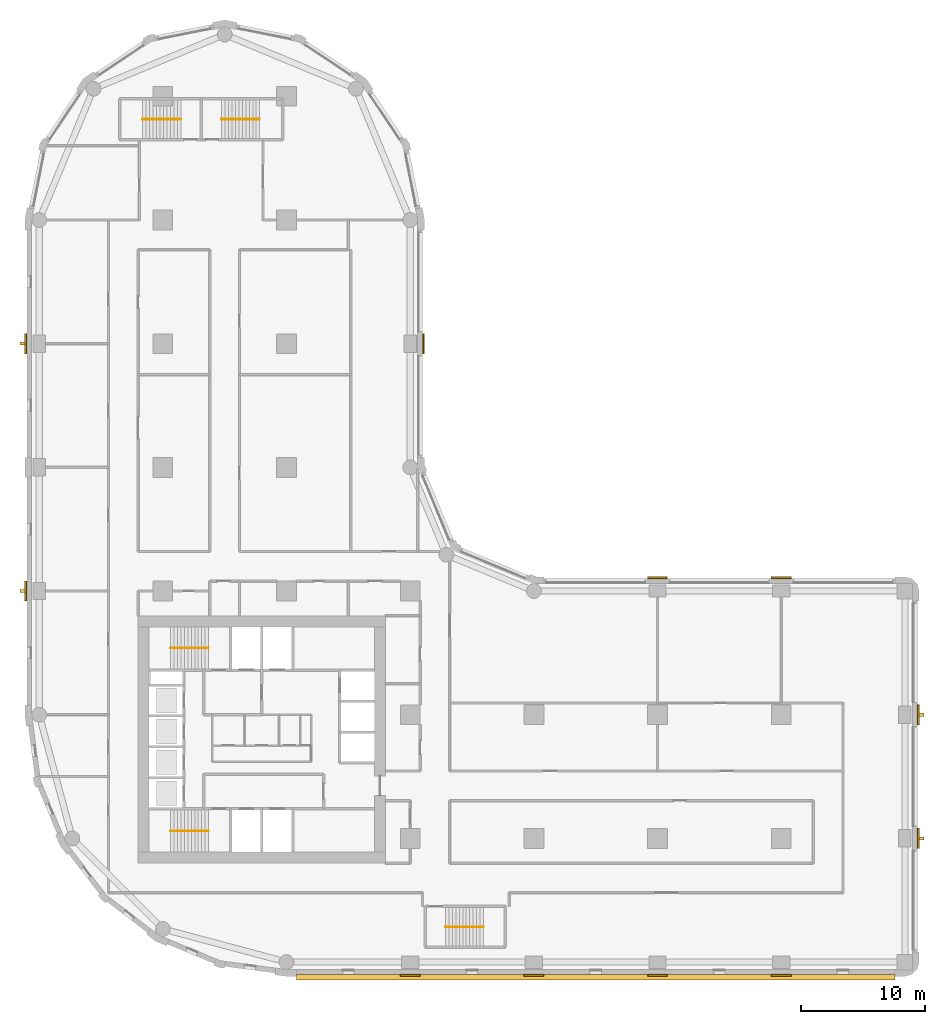
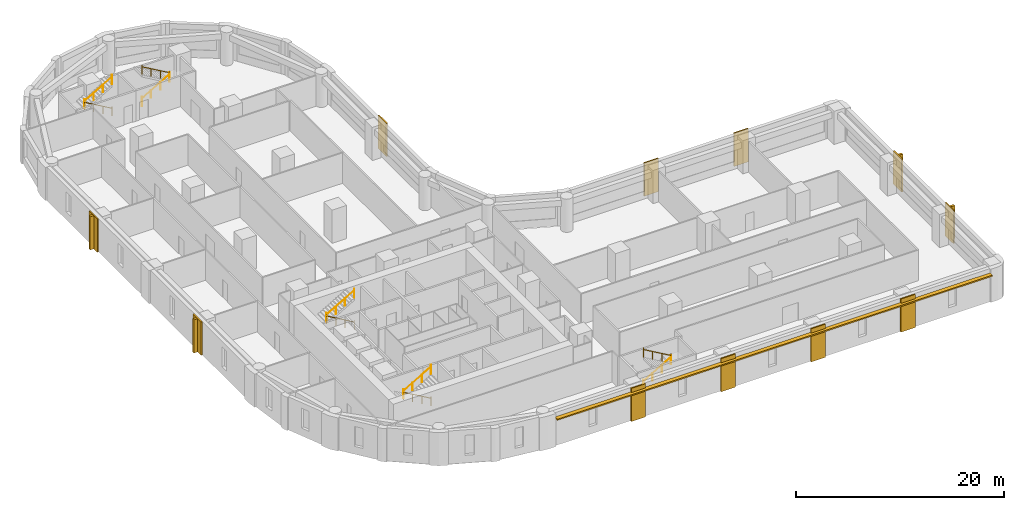
# One storey, part 9 of 10: 11 coverings, 10 railings, 5 shading devices.
"""IFC4 building model written with IfcOpenShell, lengths in metres."""

from ifc_helpers import new_model, si_unit, direction, frame, origin, origin_2d, place, context, subcontext, project, spatial, polyline, rectangle, circle, outline, extrude, material, layer, layer_set, type_object, element, save


model = new_model("IFC4")

# Units and contexts
model_context = context("Model", 3, precision=1e-05, world=origin(), true_north=direction((0.0, 1.0)))
body_context = subcontext(model_context, "Body", "Model", "MODEL_VIEW")
ifc_project = project(units=[si_unit("LENGTHUNIT", "METRE"), si_unit("AREAUNIT", "SQUARE_METRE"), si_unit("VOLUMEUNIT", "CUBIC_METRE"), si_unit("PLANEANGLEUNIT", "RADIAN"), si_unit("MASSUNIT", "GRAM", prefix="KILO")], contexts=[model_context])

# Site, building, storey
site_placement = place(None, origin())
site = spatial("IfcSite", under=ifc_project, at=site_placement, CompositionType="ELEMENT")
building_placement = place(site_placement, origin())
building = spatial("IfcBuilding", under=site, at=building_placement, Name="Qaws Garden Tower", CompositionType="ELEMENT")
storey_placement = place(building_placement, frame((0.0, 0.0, 15.89990234375)))
storey = spatial("IfcBuildingStorey", under=building, at=storey_placement, Name="L03", CompositionType="ELEMENT", Elevation=15.89990234375)

# Coverings
ifc_material_1 = material(Name="Clay facing brick masonry", Category="masonry")
ifc_layer_1 = layer(ifc_material_1, 0.14990234375)
ifc_layer_set_1 = layer_set([ifc_layer_1], Name="Clay facing brick masonry")
covering_type = type_object("IfcCoveringType", Name="Brick pilaster facing 150 x 1600", PredefinedType="CLADDING", material=ifc_layer_set_1)
placement = place(storey_placement, origin())
element("IfcCovering", 1, at=placement, inside=storey, type_object=covering_type, Name="E-L03-pier-01", PredefinedType="CLADDING", context=body_context, shape_type="SweptSolid", body=[
    extrude(outline(polyline([(29.199951171875, -1.0), (30.800048828125, -1.0), (30.800048828125, -1.14990234375), (29.199951171875, -1.14990234375), (29.199951171875, -1.0)])), origin(), (0.0, 0.0, 1.0), 3.900146484375),
])
element("IfcCovering", 2, at=placement, inside=storey, type_object=covering_type, Name="E-L03-pier-02", PredefinedType="CLADDING", context=body_context, shape_type="SweptSolid", body=[
    extrude(outline(polyline([(39.199951171875, -1.0), (40.800048828125, -1.0), (40.800048828125, -1.14990234375), (39.199951171875, -1.14990234375), (39.199951171875, -1.0)])), origin(), (0.0, 0.0, 1.0), 3.900146484375),
])
element("IfcCovering", 3, at=placement, inside=storey, type_object=covering_type, Name="E-L03-pier-03", PredefinedType="CLADDING", context=body_context, shape_type="SweptSolid", body=[
    extrude(outline(polyline([(49.199951171875, -1.0), (50.800048828125, -1.0), (50.800048828125, -1.14990234375), (49.199951171875, -1.14990234375), (49.199951171875, -1.0)])), origin(), (0.0, 0.0, 1.0), 3.900146484375),
])
element("IfcCovering", 4, at=placement, inside=storey, type_object=covering_type, Name="E-L03-pier-04", PredefinedType="CLADDING", context=body_context, shape_type="SweptSolid", body=[
    extrude(outline(polyline([(59.199951171875, -1.0), (60.800048828125, -1.0), (60.800048828125, -1.14990234375), (59.199951171875, -1.14990234375), (59.199951171875, -1.0)])), origin(), (0.0, 0.0, 1.0), 3.900146484375),
])
element("IfcCovering", 5, at=placement, inside=storey, type_object=covering_type, Name="E-L03-pier-06", PredefinedType="CLADDING", context=body_context, shape_type="SweptSolid", body=[
    extrude(outline(polyline([(71.0, 9.199951171875), (71.0, 10.800048828125), (71.14990234375, 10.800048828125), (71.14990234375, 9.199951171875), (71.0, 9.199951171875)])), origin(), (0.0, 0.0, 1.0), 3.900146484375),
])
element("IfcCovering", 6, at=placement, inside=storey, type_object=covering_type, Name="E-L03-pier-07", PredefinedType="CLADDING", context=body_context, shape_type="SweptSolid", body=[
    extrude(outline(polyline([(71.0, 19.199951171875), (71.0, 20.800048828125), (71.14990234375, 20.800048828125), (71.14990234375, 19.199951171875), (71.0, 19.199951171875)])), origin(), (0.0, 0.0, 1.0), 3.900146484375),
])
element("IfcCovering", 7, at=placement, inside=storey, type_object=covering_type, Name="E-L03-pier-09", PredefinedType="CLADDING", context=body_context, shape_type="SweptSolid", body=[
    extrude(outline(polyline([(60.800048828125, 31.0), (59.199951171875, 31.0), (59.199951171875, 31.14990234375), (60.800048828125, 31.14990234375), (60.800048828125, 31.0)])), origin(), (0.0, 0.0, 1.0), 3.900146484375),
])
element("IfcCovering", 8, at=placement, inside=storey, type_object=covering_type, Name="E-L03-pier-10", PredefinedType="CLADDING", context=body_context, shape_type="SweptSolid", body=[
    extrude(outline(polyline([(50.800048828125, 31.0), (49.199951171875, 31.0), (49.199951171875, 31.14990234375), (50.800048828125, 31.14990234375), (50.800048828125, 31.0)])), origin(), (0.0, 0.0, 1.0), 3.900146484375),
])
element("IfcCovering", 9, at=placement, inside=storey, type_object=covering_type, Name="E-L03-pier-14", PredefinedType="CLADDING", context=body_context, shape_type="SweptSolid", body=[
    extrude(outline(polyline([(31.0, 49.199951171875), (31.0, 50.800048828125), (31.14990234375, 50.800048828125), (31.14990234375, 49.199951171875), (31.0, 49.199951171875)])), origin(), (0.0, 0.0, 1.0), 3.900146484375),
])
element("IfcCovering", 10, at=placement, inside=storey, type_object=covering_type, Name="E-L03-pier-24", PredefinedType="CLADDING", context=body_context, shape_type="SweptSolid", body=[
    extrude(outline(polyline([(-1.0, 50.800048828125), (-1.0, 49.199951171875), (-1.14990234375, 49.199951171875), (-1.14990234375, 50.800048828125), (-1.0, 50.800048828125)])), origin(), (0.0, 0.0, 1.0), 3.900146484375),
])
element("IfcCovering", 11, at=placement, inside=storey, type_object=covering_type, Name="E-L03-pier-26", PredefinedType="CLADDING", context=body_context, shape_type="SweptSolid", body=[
    extrude(outline(polyline([(-1.0, 30.800048828125), (-1.0, 29.199951171875), (-1.14990234375, 29.199951171875), (-1.14990234375, 30.800048828125), (-1.0, 30.800048828125)])), origin(), (0.0, 0.0, 1.0), 3.900146484375),
])

# Shading devices
ifc_material_2 = material(Name="Clay facing brick masonry", Category="masonry")
ifc_layer_2 = layer(ifc_material_2, 0.14990234375)
ifc_layer_set_2 = layer_set([ifc_layer_2], Name="Clay facing brick masonry")
shading_device_type_1 = type_object("IfcShadingDeviceType", Name="Brick sunshade band 450 x 150", PredefinedType="JALOUSIE", material=ifc_layer_set_2)
shading_device_placement = place(storey_placement, frame((0.0, 0.0, 3.25)))
element("IfcShadingDevice", 12, at=shading_device_placement, inside=storey, type_object=shading_device_type_1, Name="SUNSHADE 00", PredefinedType="JALOUSIE", context=body_context, shape_type="SweptSolid", body=[
    extrude(outline(polyline([(20.800048828125, -1.0), (20.800048828125, -1.449951171875), (69.199951171875, -1.449951171875), (69.199951171875, -1.0), (60.800048828125, -1.0), (60.800048828125, -1.14990234375), (59.199951171875, -1.14990234375), (59.199951171875, -1.0), (50.800048828125, -1.0), (50.800048828125, -1.14990234375), (49.199951171875, -1.14990234375), (49.199951171875, -1.0), (40.800048828125, -1.0), (40.800048828125, -1.14990234375), (39.199951171875, -1.14990234375), (39.199951171875, -1.0), (30.800048828125, -1.0), (30.800048828125, -1.14990234375), (29.199951171875, -1.14990234375), (29.199951171875, -1.0), (20.800048828125, -1.0)])), origin(), (0.0, 0.0, 1.0), 0.150146484375),
])
ifc_material_3 = material(Name="Clay facing brick masonry", Category="masonry")
ifc_layer_3 = layer(ifc_material_3, 0.25)
ifc_layer_set_3 = layer_set([ifc_layer_3], Name="Clay facing brick masonry")
shading_device_type_2 = type_object("IfcShadingDeviceType", Name="Brick-faced fin 250 x 400", PredefinedType="USERDEFINED", material=ifc_layer_set_3)
for number, where, z_axis, x_axis, name in (
    (13, (71.35009765625, 10.0, 0.000244140625), (0.0, 0.0, 1.0), (0.0, 1.0, 0.0), "FIN 06"),
    (14, (71.35009765625, 20.0, 0.000244140625), (0.0, 0.0, 1.0), (0.0, 1.0, 0.0), "FIN 07"),
    (15, (-1.35009765625, 50.0, 0.000244140625), (0.0, 0.0, 1.0), (0.0, -1.0, 0.0), "FIN 24"),
    (16, (-1.35009765625, 30.0, 0.000244140625), (0.0, 0.0, 1.0), (0.0, -1.0, 0.0), "FIN 26"),
):
    element("IfcShadingDevice", number, at=place(storey_placement, frame(where, z_axis=z_axis, x_axis=x_axis)), inside=storey, type_object=shading_device_type_2, Name=name, ObjectType="FIN", PredefinedType="USERDEFINED", context=body_context, shape_type="SweptSolid", body=[
        extrude(rectangle(XDim=0.25, YDim=0.39990234375, at=origin_2d()), origin(), (0.0, 0.0, 1.0), 3.89990234375),
    ])

# Railings
ifc_material_4 = material(Name="Steel S355", Category="steel")
railing_type = type_object("IfcRailingType", Name="Stair handrail 900", PredefinedType="HANDRAIL", material=ifc_material_4)
railing_1_placement = place(storey_placement, frame((13.699951171875, 10.60009765625, 0.16259765625)))
element("IfcRailing", 17, at=railing_1_placement, inside=storey, type_object=railing_type, Name="Stair 1 handrail", PredefinedType="HANDRAIL", context=body_context, shape_type="SweptSolid", body=[
    extrude(circle(Radius=0.02392578125, at=origin_2d()), frame((0.0, 0.0, 0.8759765625), z_axis=(-0.864873446163, 0.0, 0.501989962173), x_axis=(0.0, -1.0, 0.0)), (0.0, 0.0, 1.0), 3.56103515625),
    extrude(circle(Radius=0.02099609375, at=origin_2d()), origin(), (0.0, 0.0, 1.0), 1.06201171875),
    extrude(circle(Radius=0.02099609375, at=origin_2d()), frame((-1.026611328125, 0.0, 0.595947265625)), (0.0, 0.0, 1.0), 0.851806640625),
    extrude(circle(Radius=0.02099609375, at=origin_2d()), frame((-2.05322265625, 0.0, 1.191650390625)), (0.0, 0.0, 1.0), 0.851806640625),
    extrude(circle(Radius=0.02099609375, at=origin_2d()), frame((-3.079833984375, 0.0, 1.78759765625)), (0.0, 0.0, 1.0), 1.06201171875),
])
railing_2_placement = place(storey_placement, frame((10.6201171875, 10.60009765625, 2.112548828125)))
element("IfcRailing", 18, at=railing_2_placement, inside=storey, type_object=railing_type, Name="Stair 1 handrail", PredefinedType="HANDRAIL", context=body_context, shape_type="SweptSolid", body=[
    extrude(circle(Radius=0.02392578125, at=origin_2d()), frame((0.0, 0.0, 0.8759765625), z_axis=(0.864873446163, 0.0, 0.501989962173), x_axis=(0.0, 1.0, 0.0)), (0.0, 0.0, 1.0), 3.56103515625),
    extrude(circle(Radius=0.02099609375, at=origin_2d()), origin(), (0.0, 0.0, 1.0), 1.06201171875),
    extrude(circle(Radius=0.02099609375, at=origin_2d()), frame((1.026611328125, 0.0, 0.595947265625)), (0.0, 0.0, 1.0), 0.851806640625),
    extrude(circle(Radius=0.02099609375, at=origin_2d()), frame((2.05322265625, 0.0, 1.191650390625)), (0.0, 0.0, 1.0), 0.851806640625),
    extrude(circle(Radius=0.02099609375, at=origin_2d()), frame((3.079833984375, 0.0, 1.78759765625)), (0.0, 0.0, 1.0), 1.06201171875),
])
railing_3_placement = place(storey_placement, frame((13.699951171875, 25.39990234375, 0.16259765625)))
element("IfcRailing", 19, at=railing_3_placement, inside=storey, type_object=railing_type, Name="Stair 4 handrail", PredefinedType="HANDRAIL", context=body_context, shape_type="SweptSolid", body=[
    extrude(circle(Radius=0.02392578125, at=origin_2d()), frame((0.0, 0.0, 0.8759765625), z_axis=(-0.864873446163, 0.0, 0.501989962173), x_axis=(0.0, -1.0, 0.0)), (0.0, 0.0, 1.0), 3.56103515625),
    extrude(circle(Radius=0.02099609375, at=origin_2d()), origin(), (0.0, 0.0, 1.0), 1.06201171875),
    extrude(circle(Radius=0.02099609375, at=origin_2d()), frame((-1.026611328125, 0.0, 0.595947265625)), (0.0, 0.0, 1.0), 0.851806640625),
    extrude(circle(Radius=0.02099609375, at=origin_2d()), frame((-2.05322265625, 0.0, 1.191650390625)), (0.0, 0.0, 1.0), 0.851806640625),
    extrude(circle(Radius=0.02099609375, at=origin_2d()), frame((-3.079833984375, 0.0, 1.78759765625)), (0.0, 0.0, 1.0), 1.06201171875),
])
for number, where, name in (
    (20, (10.6201171875, 25.39990234375, 2.112548828125), "Stair 4 handrail"),
    (21, (32.85009765625, 2.85009765625, 0.16259765625), "Stair 5 handrail"),
):
    element("IfcRailing", number, at=place(storey_placement, frame(where)), inside=storey, type_object=railing_type, Name=name, PredefinedType="HANDRAIL", context=body_context, shape_type="SweptSolid", body=[
        extrude(circle(Radius=0.02392578125, at=origin_2d()), frame((0.0, 0.0, 0.8759765625), z_axis=(0.864873446163, 0.0, 0.501989962173), x_axis=(0.0, 1.0, 0.0)), (0.0, 0.0, 1.0), 3.56103515625),
        extrude(circle(Radius=0.02099609375, at=origin_2d()), origin(), (0.0, 0.0, 1.0), 1.06201171875),
        extrude(circle(Radius=0.02099609375, at=origin_2d()), frame((1.026611328125, 0.0, 0.595947265625)), (0.0, 0.0, 1.0), 0.851806640625),
        extrude(circle(Radius=0.02099609375, at=origin_2d()), frame((2.05322265625, 0.0, 1.191650390625)), (0.0, 0.0, 1.0), 0.851806640625),
        extrude(circle(Radius=0.02099609375, at=origin_2d()), frame((3.079833984375, 0.0, 1.78759765625)), (0.0, 0.0, 1.0), 1.06201171875),
    ])
for number, where, name in (
    (22, (35.929931640625, 2.85009765625, 2.112548828125), "Stair 5 handrail"),
    (23, (11.449951171875, 68.14990234375, 0.16259765625), "Stair 6 handrail"),
):
    element("IfcRailing", number, at=place(storey_placement, frame(where)), inside=storey, type_object=railing_type, Name=name, PredefinedType="HANDRAIL", context=body_context, shape_type="SweptSolid", body=[
        extrude(circle(Radius=0.02392578125, at=origin_2d()), frame((0.0, 0.0, 0.8759765625), z_axis=(-0.864873446163, 0.0, 0.501989962173), x_axis=(0.0, -1.0, 0.0)), (0.0, 0.0, 1.0), 3.56103515625),
        extrude(circle(Radius=0.02099609375, at=origin_2d()), origin(), (0.0, 0.0, 1.0), 1.06201171875),
        extrude(circle(Radius=0.02099609375, at=origin_2d()), frame((-1.026611328125, 0.0, 0.595947265625)), (0.0, 0.0, 1.0), 0.851806640625),
        extrude(circle(Radius=0.02099609375, at=origin_2d()), frame((-2.05322265625, 0.0, 1.191650390625)), (0.0, 0.0, 1.0), 0.851806640625),
        extrude(circle(Radius=0.02099609375, at=origin_2d()), frame((-3.079833984375, 0.0, 1.78759765625)), (0.0, 0.0, 1.0), 1.06201171875),
    ])
railing_4_placement = place(storey_placement, frame((8.3701171875, 68.14990234375, 2.112548828125)))
element("IfcRailing", 24, at=railing_4_placement, inside=storey, type_object=railing_type, Name="Stair 6 handrail", PredefinedType="HANDRAIL", context=body_context, shape_type="SweptSolid", body=[
    extrude(circle(Radius=0.02392578125, at=origin_2d()), frame((0.0, 0.0, 0.8759765625), z_axis=(0.864873446163, 0.0, 0.501989962173), x_axis=(0.0, 1.0, 0.0)), (0.0, 0.0, 1.0), 3.56103515625),
    extrude(circle(Radius=0.02099609375, at=origin_2d()), origin(), (0.0, 0.0, 1.0), 1.06201171875),
    extrude(circle(Radius=0.02099609375, at=origin_2d()), frame((1.026611328125, 0.0, 0.595947265625)), (0.0, 0.0, 1.0), 0.851806640625),
    extrude(circle(Radius=0.02099609375, at=origin_2d()), frame((2.05322265625, 0.0, 1.191650390625)), (0.0, 0.0, 1.0), 0.851806640625),
    extrude(circle(Radius=0.02099609375, at=origin_2d()), frame((3.079833984375, 0.0, 1.78759765625)), (0.0, 0.0, 1.0), 1.06201171875),
])
railing_5_placement = place(storey_placement, frame((14.75, 68.14990234375, 0.16259765625)))
element("IfcRailing", 25, at=railing_5_placement, inside=storey, type_object=railing_type, Name="Stair 7 handrail", PredefinedType="HANDRAIL", context=body_context, shape_type="SweptSolid", body=[
    extrude(circle(Radius=0.02392578125, at=origin_2d()), frame((0.0, 0.0, 0.8759765625), z_axis=(0.864890721111, 0.0, 0.501960198159), x_axis=(0.0, 1.0, 0.0)), (0.0, 0.0, 1.0), 3.561279296875),
    extrude(circle(Radius=0.02099609375, at=origin_2d()), origin(), (0.0, 0.0, 1.0), 1.06201171875),
    extrude(circle(Radius=0.02099609375, at=origin_2d()), frame((1.026611328125, 0.0, 0.595947265625)), (0.0, 0.0, 1.0), 0.851806640625),
    extrude(circle(Radius=0.02099609375, at=origin_2d()), frame((2.053466796875, 0.0, 1.191650390625)), (0.0, 0.0, 1.0), 0.851806640625),
    extrude(circle(Radius=0.02099609375, at=origin_2d()), frame((3.080078125, 0.0, 1.78759765625)), (0.0, 0.0, 1.0), 1.06201171875),
])
railing_6_placement = place(storey_placement, frame((17.830078125, 68.14990234375, 2.112548828125)))
element("IfcRailing", 26, at=railing_6_placement, inside=storey, type_object=railing_type, Name="Stair 7 handrail", PredefinedType="HANDRAIL", context=body_context, shape_type="SweptSolid", body=[
    extrude(circle(Radius=0.02392578125, at=origin_2d()), frame((0.0, 0.0, 0.8759765625), z_axis=(-0.864890721111, 0.0, 0.501960198159), x_axis=(0.0, -1.0, 0.0)), (0.0, 0.0, 1.0), 3.561279296875),
    extrude(circle(Radius=0.02099609375, at=origin_2d()), origin(), (0.0, 0.0, 1.0), 1.06201171875),
    extrude(circle(Radius=0.02099609375, at=origin_2d()), frame((-1.026611328125, 0.0, 0.595947265625)), (0.0, 0.0, 1.0), 0.851806640625),
    extrude(circle(Radius=0.02099609375, at=origin_2d()), frame((-2.053466796875, 0.0, 1.191650390625)), (0.0, 0.0, 1.0), 0.851806640625),
    extrude(circle(Radius=0.02099609375, at=origin_2d()), frame((-3.080078125, 0.0, 1.78759765625)), (0.0, 0.0, 1.0), 1.06201171875),
])

save(model, "model.ifc")
